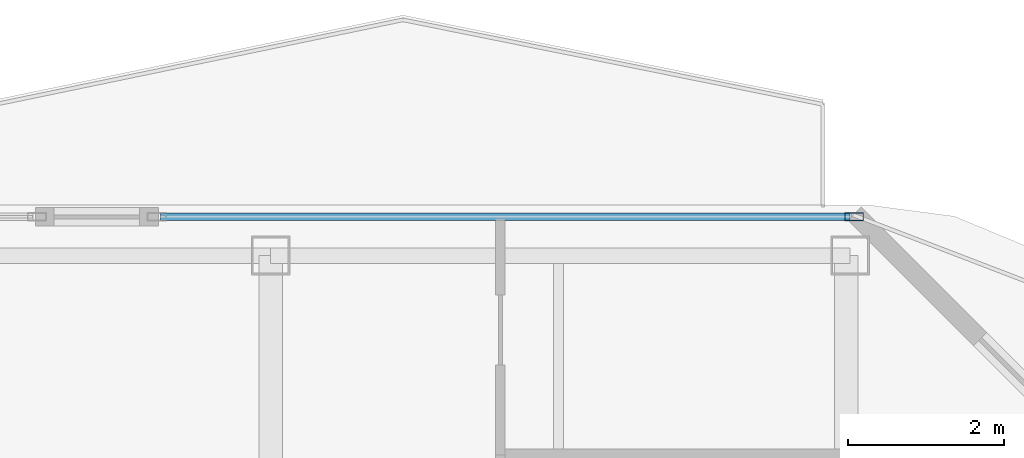
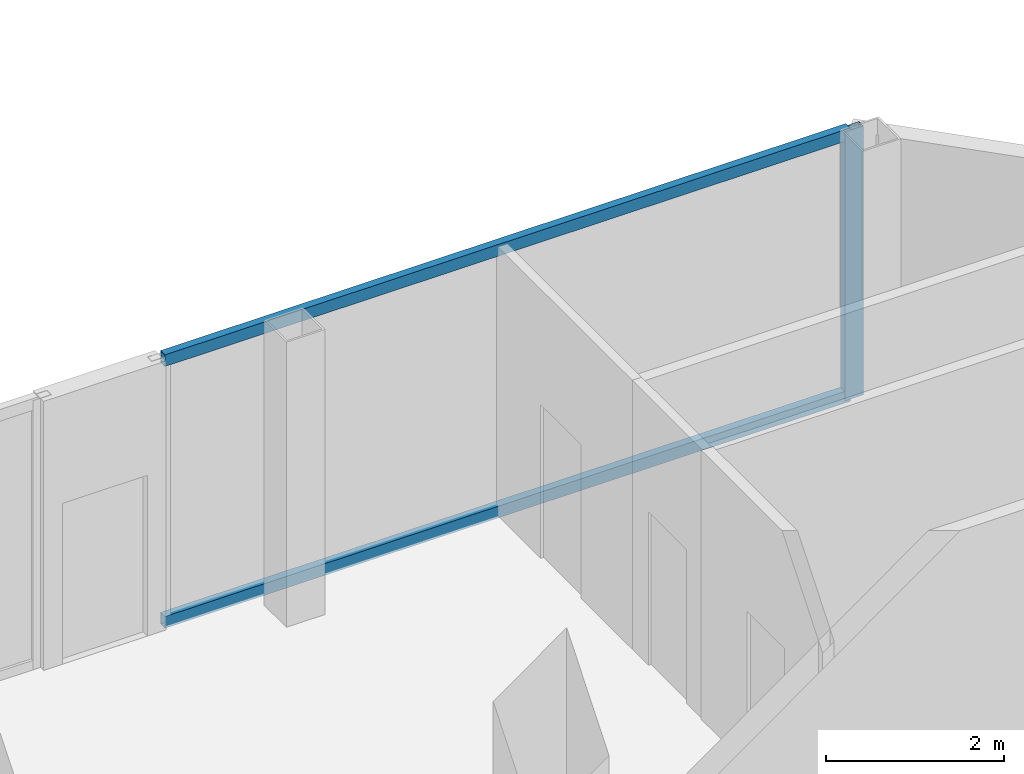
# One storey, part 15 of 24: 3 members, 1 element without a shape of its own.
"""IFC4 building model written with IfcOpenShell, lengths in metres."""

from ifc_helpers import new_model, si_unit, direction, frame, origin, origin_2d, place, context, subcontext, project, spatial, hollow_rectangle, extrude, material, layer, layer_set, material_profile, profile_set, type_object, element, aggregate, save


model = new_model("IFC4")

# Units and contexts
model_context = context("Model", 3, precision=1e-05, world=origin(), true_north=direction((0.0, 1.0)))
body_context = subcontext(model_context, "Body", "Model", "MODEL_VIEW")
ifc_project = project(units=[si_unit("LENGTHUNIT", "METRE"), si_unit("AREAUNIT", "SQUARE_METRE"), si_unit("VOLUMEUNIT", "CUBIC_METRE"), si_unit("PLANEANGLEUNIT", "RADIAN"), si_unit("MASSUNIT", "GRAM", prefix="KILO")], contexts=[model_context])

# Site, building, storey
site_placement = place(None, origin())
site = spatial("IfcSite", under=ifc_project, at=site_placement, CompositionType="ELEMENT")
building_placement = place(site_placement, origin())
building = spatial("IfcBuilding", under=site, at=building_placement, Name="Khorvyn Point Tower", CompositionType="ELEMENT")
storey_placement = place(building_placement, frame((0.0, 0.0, 301.5)))
storey = spatial("IfcBuildingStorey", under=building, at=storey_placement, Name="L74", CompositionType="ELEMENT", Elevation=301.5)

# Curtain wall, members
ifc_material_1 = material(Name="Anodised aluminium 6063-T6 and laminated Low-E glass", Category="aluminium")
ifc_layer = layer(ifc_material_1, 0.18994140625)
ifc_layer_set = layer_set([ifc_layer], Name="Stick-Built High-Wind Curtain Wall CW-SYS-04")
curtain_wall_type = type_object("IfcCurtainWallType", Name="Stick-Built High-Wind Curtain Wall CW-SYS-04", PredefinedType="NOTDEFINED", material=ifc_layer_set)
curtain_wall_placement = place(storey_placement, origin())
curtain_wall = element("IfcCurtainWall", 1, at=curtain_wall_placement, inside=storey, type_object=curtain_wall_type, Name="Curtain Wall", PredefinedType="NOTDEFINED")
ifc_material_2 = material(Name="Anodised aluminium 6063-T6", Category="aluminium")
ifc_material_profile_1 = material_profile(ifc_material_2, hollow_rectangle(XDim=0.10009765625, YDim=0.239990234375, WallThickness=0.0048828125, at=origin_2d()))
ifc_profile_set_1 = profile_set([ifc_material_profile_1], Name="Anodised aluminium 6063-T6 ALU-MUL-100x240")
member_type_1 = type_object("IfcMemberType", Name="Anodised Aluminium 6063-T6 Mullion ALU-MUL-100x240", PredefinedType="MULLION", material=ifc_profile_set_1)
member_1_placement = place(storey_placement, frame((14.89990234375, 21.050048828125, 0.0), z_axis=(0.0, 0.0, 1.0), x_axis=(0.0, 1.0, 0.0)))
member_1 = element("IfcMember", 2, at=member_1_placement, type_object=member_type_1, Name="Transom", PredefinedType="MULLION", context=body_context, shape_type="SweptSolid", body=[
    extrude(hollow_rectangle(XDim=0.10009765625, YDim=0.239990234375, WallThickness=0.0048828125, at=origin_2d()), origin(), (0.0, 0.0, 1.0), 3.679931640625),
])
ifc_material_profile_2 = material_profile(ifc_material_2, hollow_rectangle(XDim=0.10009765625, YDim=0.159912109375, WallThickness=0.00439453125, at=origin_2d()))
ifc_profile_set_2 = profile_set([ifc_material_profile_2], Name="Anodised aluminium 6063-T6 ALU-TRN-100x160")
member_type_2 = type_object("IfcMemberType", Name="Anodised Aluminium 6063-T6 Transom ALU-TRN-100x160", PredefinedType="USERDEFINED", material=ifc_profile_set_2)
member_2_placement = place(storey_placement, frame((5.98388671875, 21.050048828125, 0.050048828125), z_axis=(1.0, 0.0, 0.0), x_axis=(0.0, 1.0, 0.0)))
member_2 = element("IfcMember", 3, at=member_2_placement, type_object=member_type_2, Name="Transom", ObjectType="TRANSOM", PredefinedType="USERDEFINED", context=body_context, shape_type="SweptSolid", body=[
    extrude(hollow_rectangle(XDim=0.10009765625, YDim=0.159912109375, WallThickness=0.00439453125, at=origin_2d()), origin(), (0.0, 0.0, 1.0), 8.8662109375),
])
member_3_placement = place(storey_placement, frame((5.98388671875, 21.050048828125, 3.6298828125), z_axis=(1.0, 0.0, 0.0), x_axis=(0.0, 1.0, 0.0)))
member_3 = element("IfcMember", 4, at=member_3_placement, type_object=member_type_2, Name="Transom", ObjectType="TRANSOM", PredefinedType="USERDEFINED", context=body_context, shape_type="SweptSolid", body=[
    extrude(hollow_rectangle(XDim=0.10009765625, YDim=0.159912109375, WallThickness=0.00439453125, at=origin_2d()), origin(), (0.0, 0.0, 1.0), 8.8662109375),
])
aggregate(curtain_wall, [member_1, member_2, member_3])

save(model, "model.ifc")
